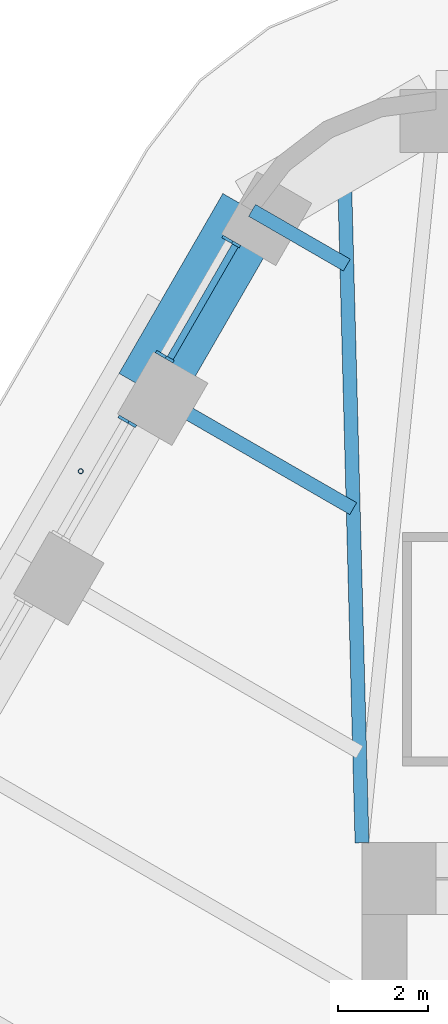
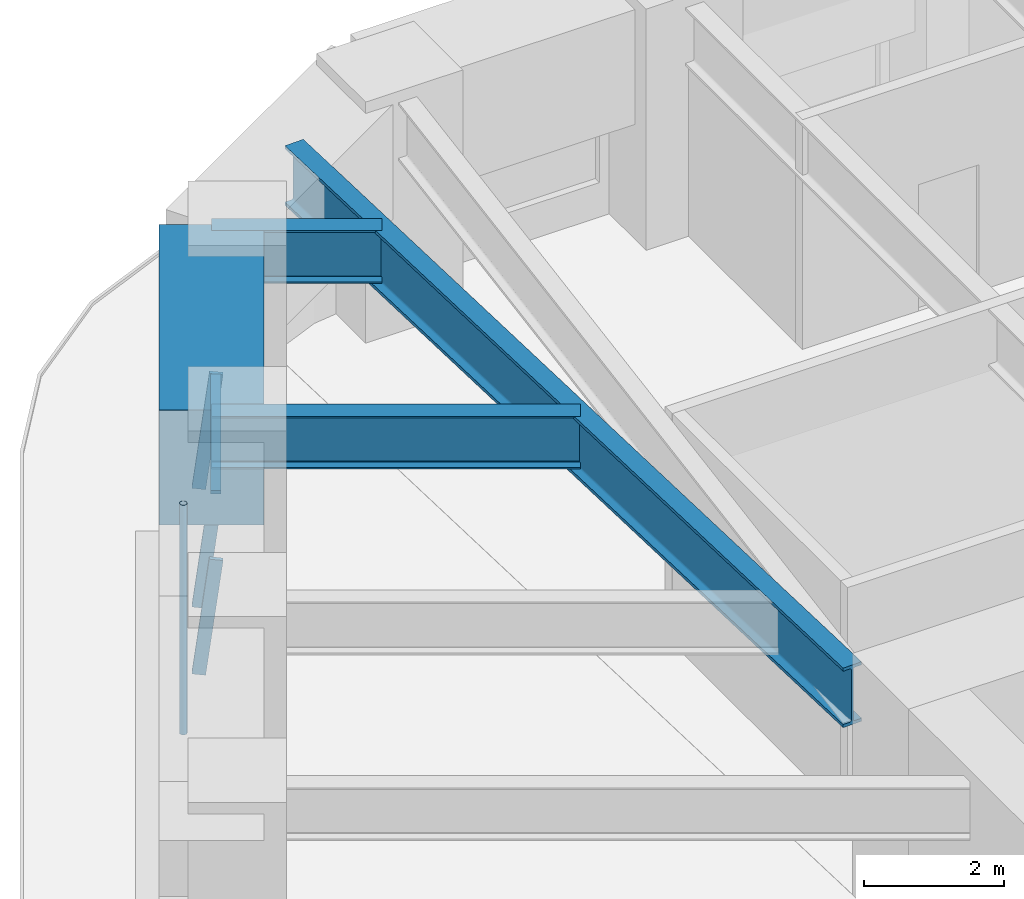
# One storey, part 8 of 20: 5 members, 4 beams, 2 elements without a shape of their own.
"""IFC4 building model written with IfcOpenShell, lengths in metres."""

from ifc_helpers import new_model, si_unit, direction, frame, origin, origin_2d, place, context, subcontext, project, spatial, rectangle, hollow_circle, i_section, extrude, material, material_profile, profile_set, type_object, element, aggregate, save


model = new_model("IFC4")

# Units and contexts
model_context = context("Model", 3, precision=1e-05, world=origin(), true_north=direction((0.0, 1.0)))
body_context = subcontext(model_context, "Body", "Model", "MODEL_VIEW")
ifc_project = project(units=[si_unit("LENGTHUNIT", "METRE"), si_unit("AREAUNIT", "SQUARE_METRE"), si_unit("VOLUMEUNIT", "CUBIC_METRE"), si_unit("PLANEANGLEUNIT", "RADIAN"), si_unit("MASSUNIT", "GRAM", prefix="KILO")], contexts=[model_context])

# Site, building, storey
site_placement = place(None, origin())
site = spatial("IfcSite", under=ifc_project, at=site_placement, CompositionType="ELEMENT")
building_placement = place(site_placement, origin())
building = spatial("IfcBuilding", under=site, at=building_placement, Name="Tarfa Lantern Tower", CompositionType="ELEMENT")
storey_placement = place(building_placement, frame((0.0, 0.0, 228.10009765625)))
storey = spatial("IfcBuildingStorey", under=building, at=storey_placement, Name="L51", CompositionType="ELEMENT", Elevation=228.10009765625)

# Curtain wall, members
ifc_material_1 = material(Name="Aluminium framed curtain wall", Category="aluminium")
curtain_wall_type = type_object("IfcCurtainWallType", Name="CW3 CANTED GLAZING HIGH ZONE 2000", PredefinedType="USERDEFINED", material=ifc_material_1)
curtain_wall_1_placement = place(storey_placement, origin())
curtain_wall_1 = element("IfcCurtainWall", 1, at=curtain_wall_1_placement, inside=storey, type_object=curtain_wall_type, Name="CW3 NW L51", ObjectType="CURTAIN WALL", PredefinedType="USERDEFINED")
ifc_material_2 = material(Name="Aluminium mullion", Category="aluminium")
ifc_material_profile_1 = material_profile(ifc_material_2, rectangle(XDim=0.06494140625, YDim=0.199951171875, at=origin_2d()), Name="AL MULLION 65x200")
ifc_profile_set_1 = profile_set([ifc_material_profile_1], Name="Aluminium mullion")
member_type_1 = type_object("IfcMemberType", Name="CWM1 MULLION 65x200", PredefinedType="MULLION", material=ifc_profile_set_1)
member_1_placement = place(storey_placement, frame((-18.51611328125, 25.72900390625, 0.0), z_axis=(0.107439978116, -0.062017213975, 0.992275423596), x_axis=(0.499919672301, 0.866071776036, 0.0)))
member_1 = element("IfcMember", 2, at=member_1_placement, type_object=member_type_1, Name="CW3 mullion 1", PredefinedType="MULLION", context=body_context, shape_type="SweptSolid", body=[
    extrude(rectangle(XDim=0.06494140625, YDim=0.199951171875, at=origin_2d()), origin(), (0.0, 0.0, 1.0), 2.015625),
])
member_2_placement = place(storey_placement, frame((-19.9931640625, 23.1708984375, 0.0), z_axis=(0.107439978116, -0.062017213975, 0.992275423596), x_axis=(0.499919672301, 0.866071776036, 0.0)))
member_2 = element("IfcMember", 3, at=member_2_placement, type_object=member_type_1, Name="CW3 mullion 2", PredefinedType="MULLION", context=body_context, shape_type="SweptSolid", body=[
    extrude(rectangle(XDim=0.06494140625, YDim=0.199951171875, at=origin_2d()), origin(), (0.0, 0.0, 1.0), 2.015625),
])

# Curtain wall, member
curtain_wall_2_placement = place(storey_placement, origin())
curtain_wall_2 = element("IfcCurtainWall", 4, at=curtain_wall_2_placement, inside=storey, type_object=curtain_wall_type, Name="CW3 NW L51", ObjectType="CURTAIN WALL", PredefinedType="USERDEFINED")
member_3_placement = place(storey_placement, frame((-20.82568359375, 21.72900390625, 0.0), z_axis=(0.107439978116, -0.062017213975, 0.992275423596), x_axis=(0.499919672301, 0.866071776036, 0.0)))
member_3 = element("IfcMember", 5, at=member_3_placement, type_object=member_type_1, Name="CW3 mullion 1", PredefinedType="MULLION", context=body_context, shape_type="SweptSolid", body=[
    extrude(rectangle(XDim=0.06494140625, YDim=0.199951171875, at=origin_2d()), origin(), (0.0, 0.0, 1.0), 2.015625),
])
aggregate(curtain_wall_2, [member_3])

# Member
ifc_material_3 = material(Name="Aluminium transom", Category="aluminium")
ifc_material_profile_2 = material_profile(ifc_material_3, rectangle(XDim=0.14990234375, YDim=0.06494140625, at=origin_2d()), Name="AL TRANSOM 150x65")
ifc_profile_set_2 = profile_set([ifc_material_profile_2], Name="Aluminium transom")
member_type_2 = type_object("IfcMemberType", Name="CWT1 TRANSOM 150x65", PredefinedType="USERDEFINED", material=ifc_profile_set_2)
member_4_placement = place(storey_placement, frame((-18.3193359375, 25.577880859375, 1.96728515625), z_axis=(-0.500056524144, -0.865992767095, 0.0), x_axis=(0.865992767095, -0.500056524144, 0.0)))
member_4 = element("IfcMember", 6, at=member_4_placement, type_object=member_type_2, Name="CW3 transom 1.2", ObjectType="TRANSOM", PredefinedType="USERDEFINED", context=body_context, shape_type="SweptSolid", body=[
    extrude(rectangle(XDim=0.14990234375, YDim=0.06494140625, at=origin_2d()), origin(), (0.0, 0.0, 1.0), 2.888916015625),
])

aggregate(curtain_wall_1, [member_1, member_2, member_4])

# Beam
ifc_material_4 = material(Name="Concrete C80/95", Category="concrete")
ifc_material_profile_3 = material_profile(ifc_material_4, rectangle(XDim=1.5, YDim=2.0, at=origin_2d()), Name="RC 1500x2000")
ifc_profile_set_3 = profile_set([ifc_material_profile_3], Name="Concrete C80/95")
beam_type_1 = type_object("IfcBeamType", Name="RB3 RC 1500x2000", PredefinedType="BEAM", material=ifc_profile_set_3)
beam_1_placement = place(storey_placement, frame((-17.944091796875, 26.360107421875, 3.0), z_axis=(-0.499987836815, -0.866032426089, 0.0), x_axis=(0.866032426089, -0.499987836815, 0.0)))
element("IfcBeam", 7, at=beam_1_placement, inside=storey, type_object=beam_type_1, Name="Edge beam NW0", PredefinedType="BEAM", context=body_context, shape_type="SweptSolid", body=[
    extrude(rectangle(XDim=1.5, YDim=2.0, at=origin_2d()), origin(), (0.0, 0.0, 1.0), 4.61865234375),
])

# Member
ifc_material_5 = material(Name="Steel S355", Category="steel")
ifc_material_profile_4 = material_profile(ifc_material_5, hollow_circle(Radius=0.05712890625, WallThickness=0.00634765625, at=origin_2d()), Name="CHS114.3x6.3")
ifc_profile_set_4 = profile_set([ifc_material_profile_4], Name="Steel S355")
member_type_3 = type_object("IfcMemberType", Name="TR1 GREEN WALL TRELLIS CHS114.3x6.3", PredefinedType="USERDEFINED", material=ifc_profile_set_4)
member_5_placement = place(storey_placement, frame((-21.754638671875, 20.56005859375, 0.0), z_axis=(0.0, 0.0, 1.0), x_axis=(1.0, 0.0, 0.0)))
element("IfcMember", 8, at=member_5_placement, inside=storey, type_object=member_type_3, Name="Trellis post NW 1", ObjectType="TRELLIS", PredefinedType="USERDEFINED", context=body_context, shape_type="SweptSolid", body=[
    extrude(hollow_circle(Radius=0.05712890625, WallThickness=0.00634765625, at=origin_2d()), origin(), (0.0, 0.0, 1.0), 4.0),
])

# Beams
ifc_material_6 = material(Name="Steel S460M", Category="steel")
ifc_material_profile_5 = material_profile(ifc_material_6, i_section(OverallWidth=0.30859375, OverallDepth=1.036376953125, WebThickness=0.030029296875, FlangeThickness=0.05419921875, FilletRadius=0.030029296875, at=origin_2d()), Name="UB1016x305x487")
ifc_profile_set_5 = profile_set([ifc_material_profile_5], Name="Steel S460M")
beam_type_2 = type_object("IfcBeamType", Name="UB1016x305x487", PredefinedType="BEAM", material=ifc_profile_set_5)
beam_2_placement = place(storey_placement, frame((-15.5, 12.300048828125, 3.481689453125), z_axis=(-0.026247301989, 0.999655480222, 0.0), x_axis=(-0.999655480222, -0.026247301989, 0.0)))
element("IfcBeam", 9, at=beam_2_placement, inside=storey, type_object=beam_type_2, Name="Hip girder NW", PredefinedType="BEAM", context=body_context, shape_type="SweptSolid", body=[
    extrude(i_section(OverallWidth=0.30859375, OverallDepth=1.036376953125, WebThickness=0.030029296875, FlangeThickness=0.05419921875, FilletRadius=0.030029296875, at=origin_2d()), origin(), (0.0, 0.0, 1.0), 15.245361328125),
])
ifc_material_profile_6 = material_profile(ifc_material_6, i_section(OverallWidth=0.305419921875, OverallDepth=0.91845703125, WebThickness=0.017333984375, FlangeThickness=0.02783203125, FilletRadius=0.01904296875, at=origin_2d()), Name="UB914x305x253")
ifc_profile_set_6 = profile_set([ifc_material_profile_6], Name="Steel S460M")
beam_type_3 = type_object("IfcBeamType", Name="UB914x305x253", PredefinedType="BEAM", material=ifc_profile_set_6)
beam_3_placement = place(storey_placement, frame((-17.944091796875, 26.360107421875, 3.540771484375), z_axis=(0.865980009423, -0.5000786171, 0.0), x_axis=(0.5000786171, 0.865980009423, 0.0)))
element("IfcBeam", 10, at=beam_3_placement, inside=storey, type_object=beam_type_3, Name="Floor beam NW0", PredefinedType="BEAM", context=body_context, shape_type="SweptSolid", body=[
    extrude(i_section(OverallWidth=0.305419921875, OverallDepth=0.91845703125, WebThickness=0.017333984375, FlangeThickness=0.02783203125, FilletRadius=0.01904296875, at=origin_2d()), origin(), (0.0, 0.0, 1.0), 2.4326171875),
])
beam_4_placement = place(storey_placement, frame((-20.25341796875, 22.360107421875, 3.540771484375), z_axis=(0.86601951648, -0.500010196972, 0.0), x_axis=(0.500010196972, 0.86601951648, 0.0)))
element("IfcBeam", 11, at=beam_4_placement, inside=storey, type_object=beam_type_3, Name="Floor beam NW1", PredefinedType="BEAM", context=body_context, shape_type="SweptSolid", body=[
    extrude(i_section(OverallWidth=0.305419921875, OverallDepth=0.91845703125, WebThickness=0.017333984375, FlangeThickness=0.02783203125, FilletRadius=0.01904296875, at=origin_2d()), origin(), (0.0, 0.0, 1.0), 5.263671875),
])

save(model, "model.ifc")
